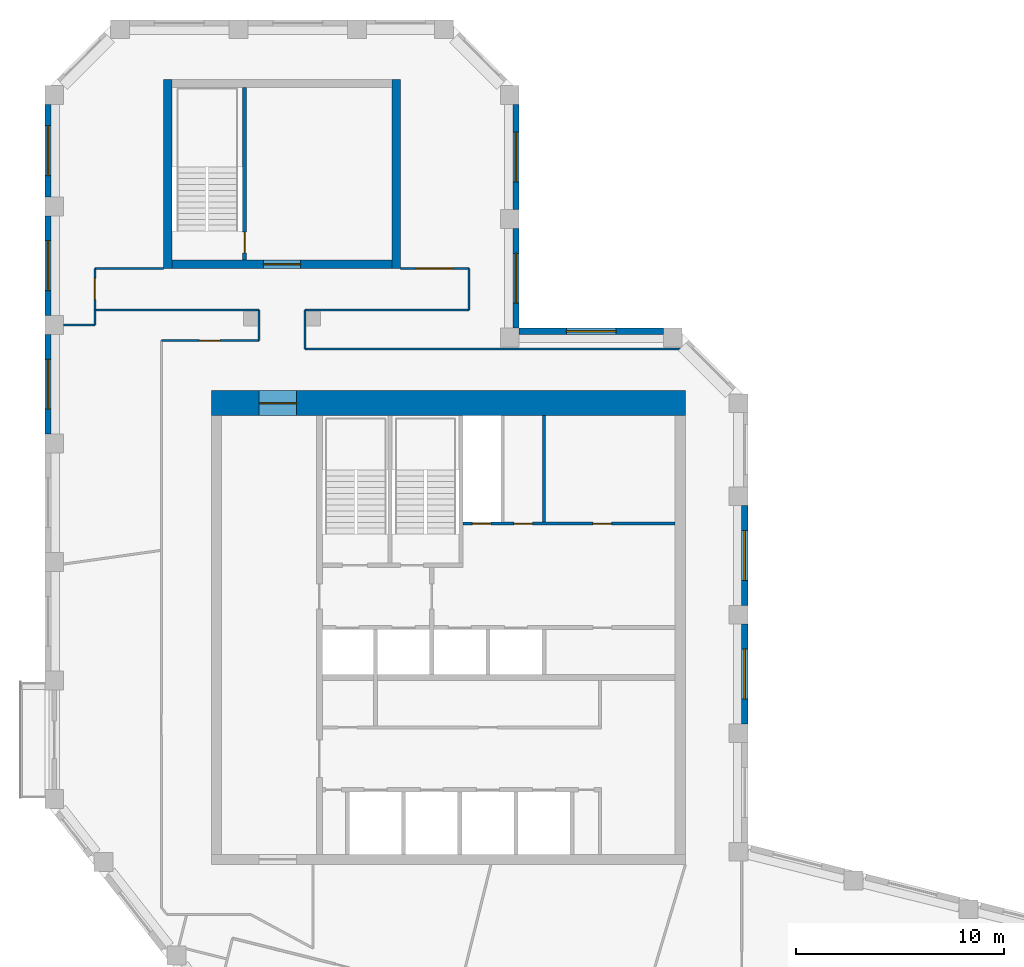
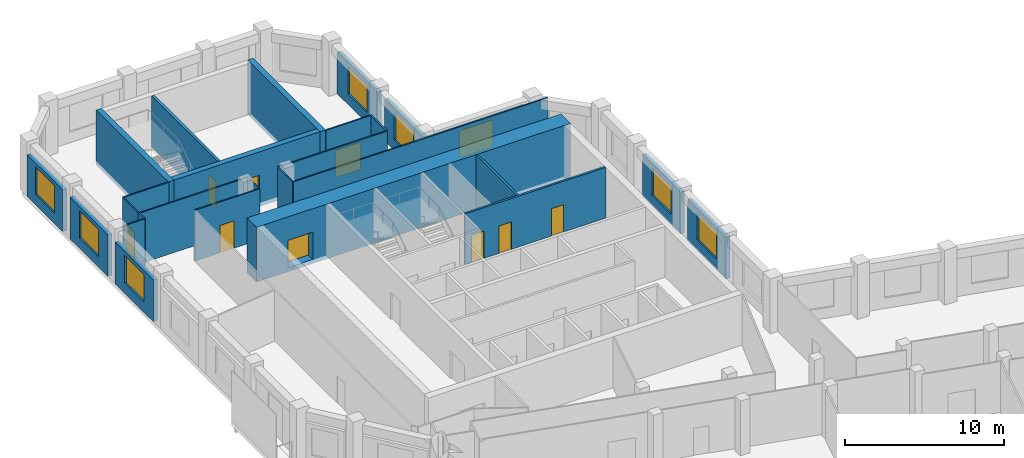
# One storey, part 6 of 8: 27 walls, 9 doors, 8 windows, 17 openings.
"""IFC4 building model written with IfcOpenShell, lengths in metres."""

from ifc_helpers import new_model, si_unit, direction, frame, frame_2d, origin, place, context, subcontext, project, spatial, rectangle, extrude, material, layer, layer_set, type_object, element, fill, save


model = new_model("IFC4")

# Units and contexts
model_context = context("Model", 3, precision=1e-05, world=origin(), true_north=direction((0.0, 1.0)))
body_context = subcontext(model_context, "Body", "Model", "MODEL_VIEW")
ifc_project = project(units=[si_unit("LENGTHUNIT", "METRE"), si_unit("AREAUNIT", "SQUARE_METRE"), si_unit("VOLUMEUNIT", "CUBIC_METRE"), si_unit("PLANEANGLEUNIT", "RADIAN"), si_unit("MASSUNIT", "GRAM", prefix="KILO")], contexts=[model_context])

# Site, building, storey
site_placement = place(None, origin())
site = spatial("IfcSite", under=ifc_project, at=site_placement, CompositionType="ELEMENT")
building_placement = place(site_placement, origin())
building = spatial("IfcBuilding", under=site, at=building_placement, Name="Meshkara Civic Tower", CompositionType="ELEMENT")
storey_placement = place(building_placement, frame((0.0, 0.0, 362.39990234375)))
storey = spatial("IfcBuildingStorey", under=building, at=storey_placement, Name="L83", CompositionType="ELEMENT", Elevation=362.39990234375)

# Wall, openings, doors
ifc_material_1 = material(Name="Blockwork", Category="masonry")
ifc_layer_1 = layer(ifc_material_1, 0.14990234375)
ifc_layer_set_1 = layer_set([ifc_layer_1], Name="Core partition 150")
wall_type_1 = type_object("IfcWallType", Name="Core partition 150", PredefinedType="PARTITIONING", material=ifc_layer_set_1)
wall_1_placement = place(storey_placement, frame((20.10009765625, 30.5, 0.0), z_axis=(0.0, 0.0, 1.0), x_axis=(1.0, 0.0, 0.0)))
wall_1 = element("IfcWall", 1, at=wall_1_placement, inside=storey, type_object=wall_type_1, Name="L83-C010", PredefinedType="PARTITIONING", context=body_context, shape_type="SweptSolid", body=[
    extrude(rectangle(XDim=10.199951171875, YDim=0.14990234375, at=frame_2d((5.10009765625, 0.0))), origin(), (0.0, 0.0, 1.0), 3.900146484375),
])
opening_1_placement = place(wall_1_placement, frame((0.449951171875, 0.0, 0.0)))
opening_1 = element("IfcOpeningElement", 2, at=opening_1_placement, cuts=wall_1, Name="Opening L83-K014", PredefinedType="OPENING", context=body_context, shape_type="SweptSolid", body=[
    extrude(rectangle(XDim=0.89990234375, YDim=2.10009765625, at=frame_2d((0.449951171875, 1.050048828125))), frame((0.0, 0.0849609375, 0.0), z_axis=(0.0, -1.0, 0.0), x_axis=(1.0, 0.0, 0.0)), (0.0, 0.0, 1.0), 0.169921875),
])
opening_2_placement = place(wall_1_placement, frame((2.449951171875, 0.0, 0.0)))
opening_2 = element("IfcOpeningElement", 3, at=opening_2_placement, cuts=wall_1, Name="Opening L83-K015", PredefinedType="OPENING", context=body_context, shape_type="SweptSolid", body=[
    extrude(rectangle(XDim=0.89990234375, YDim=2.10009765625, at=frame_2d((0.449951171875, 1.050048828125))), frame((0.0, 0.0849609375, 0.0), z_axis=(0.0, -1.0, 0.0), x_axis=(1.0, 0.0, 0.0)), (0.0, 0.0, 1.0), 0.169921875),
])
opening_3_placement = place(wall_1_placement, frame((6.25, 0.0, 0.0)))
opening_3 = element("IfcOpeningElement", 4, at=opening_3_placement, cuts=wall_1, Name="Opening L83-K016", PredefinedType="OPENING", context=body_context, shape_type="SweptSolid", body=[
    extrude(rectangle(XDim=0.89990234375, YDim=2.10009765625, at=frame_2d((0.449951171875, 1.050048828125))), frame((0.0, 0.0849609375, 0.0), z_axis=(0.0, -1.0, 0.0), x_axis=(1.0, 0.0, 0.0)), (0.0, 0.0, 1.0), 0.169921875),
])
ifc_material_2 = material(Name="Timber door leaf in steel frame", Category="steel")
door_type_1 = type_object("IfcDoorType", Name="Core room door 900", OperationType="SINGLE_SWING_LEFT", PredefinedType="DOOR", material=ifc_material_2)
door_1_placement = place(opening_3_placement, origin())
door_1 = element("IfcDoor", 5, at=door_1_placement, inside=storey, type_object=door_type_1, Name="L83-K016", OperationType="SINGLE_SWING_RIGHT", OverallHeight=2.10009765625, OverallWidth=0.89990234375, PredefinedType="DOOR", context=body_context, shape_type="SweptSolid", body=[
    extrude(rectangle(XDim=0.89990234375, YDim=2.10009765625, at=frame_2d((0.449951171875, 1.050048828125))), frame((0.0, 0.02490234375, 0.0), z_axis=(0.0, -1.0, 0.0), x_axis=(1.0, 0.0, 0.0)), (0.0, 0.0, 1.0), 0.050048828125),
])
fill(opening_3, door_1)
ifc_material_3 = material(Name="Fire-rated door leaf in steel frame", Category="steel")
door_type_2 = type_object("IfcDoorType", Name="Riser door 900", OperationType="SINGLE_SWING_LEFT", PredefinedType="DOOR", material=ifc_material_3)
door_2_placement = place(opening_1_placement, origin())
door_2 = element("IfcDoor", 6, at=door_2_placement, inside=storey, type_object=door_type_2, Name="L83-K014", OperationType="SINGLE_SWING_RIGHT", OverallHeight=2.10009765625, OverallWidth=0.89990234375, PredefinedType="DOOR", context=body_context, shape_type="SweptSolid", body=[
    extrude(rectangle(XDim=0.89990234375, YDim=2.10009765625, at=frame_2d((0.449951171875, 1.050048828125))), frame((0.0, 0.02490234375, 0.0), z_axis=(0.0, -1.0, 0.0), x_axis=(1.0, 0.0, 0.0)), (0.0, 0.0, 1.0), 0.050048828125),
])
fill(opening_1, door_2)
ifc_material_4 = material(Name="Timber door leaf in steel frame", Category="steel")
door_type_3 = type_object("IfcDoorType", Name="WC door 900", OperationType="SINGLE_SWING_LEFT", PredefinedType="DOOR", material=ifc_material_4)
door_3_placement = place(opening_2_placement, origin())
door_3 = element("IfcDoor", 7, at=door_3_placement, inside=storey, type_object=door_type_3, Name="L83-K015", OperationType="SINGLE_SWING_LEFT", OverallHeight=2.10009765625, OverallWidth=0.89990234375, PredefinedType="DOOR", context=body_context, shape_type="SweptSolid", body=[
    extrude(rectangle(XDim=0.89990234375, YDim=2.10009765625, at=frame_2d((0.449951171875, 1.050048828125))), frame((0.0, 0.02490234375, 0.0), z_axis=(0.0, -1.0, 0.0), x_axis=(1.0, 0.0, 0.0)), (0.0, 0.0, 1.0), 0.050048828125),
])
fill(opening_2, door_3)

# Wall
wall_2_placement = place(storey_placement, frame((24.0, 30.574951171875, 0.0), z_axis=(0.0, 0.0, 1.0), x_axis=(0.0, 1.0, 0.0)))
element("IfcWall", 8, at=wall_2_placement, inside=storey, type_object=wall_type_1, Name="L83-C023", PredefinedType="PARTITIONING", context=body_context, shape_type="SweptSolid", body=[
    extrude(rectangle(XDim=5.125, YDim=0.14990234375, at=frame_2d((2.5625, 0.0))), origin(), (0.0, 0.0, 1.0), 3.900146484375),
])

# Wall, opening, door
ifc_material_5 = material(Name="Concrete C50", Category="concrete")
ifc_layer_2 = layer(ifc_material_5, 1.199951171875)
ifc_layer_set_2 = layer_set([ifc_layer_2], Name="Core ring wall 1200 C50")
wall_type_2 = type_object("IfcWallType", Name="Core ring wall 1200 C50", PredefinedType="SHEAR", material=ifc_layer_set_2)
wall_3_placement = place(storey_placement, frame((8.0, 36.300048828125, -0.2998046875), z_axis=(0.0, 0.0, 1.0), x_axis=(1.0, 0.0, 0.0)))
wall_3 = element("IfcWall", 9, at=wall_3_placement, inside=storey, type_object=wall_type_2, Name="L83-C002", PredefinedType="SHEAR", context=body_context, shape_type="SweptSolid", body=[
    extrude(rectangle(XDim=22.800048828125, YDim=1.199951171875, at=frame_2d((11.39990234375, 0.0))), origin(), (0.0, 0.0, 1.0), 4.199951171875),
])
opening_4_placement = place(wall_3_placement, frame((2.300048828125, 0.0, 0.300048828125)))
opening_4 = element("IfcOpeningElement", 10, at=opening_4_placement, cuts=wall_3, Name="Opening L83-K022", PredefinedType="OPENING", context=body_context, shape_type="SweptSolid", body=[
    extrude(rectangle(XDim=1.800048828125, YDim=2.10009765625, at=frame_2d((0.89990234375, 1.050048828125))), frame((0.0, 0.60986328125, 0.0), z_axis=(0.0, -1.0, 0.0), x_axis=(1.0, 0.0, 0.0)), (0.0, 0.0, 1.0), 1.219970703125),
])
ifc_material_6 = material(Name="Fire-rated door leaf in steel frame", Category="steel")
door_type_4 = type_object("IfcDoorType", Name="Core double door 1800 EI 60", OperationType="DOUBLE_DOOR_SINGLE_SWING", PredefinedType="DOOR", material=ifc_material_6)
door_4_placement = place(opening_4_placement, origin())
door_4 = element("IfcDoor", 11, at=door_4_placement, inside=storey, type_object=door_type_4, Name="L83-K022", OperationType="DOUBLE_DOOR_SINGLE_SWING", OverallHeight=2.10009765625, OverallWidth=1.800048828125, PredefinedType="DOOR", context=body_context, shape_type="SweptSolid", body=[
    extrude(rectangle(XDim=1.800048828125, YDim=2.10009765625, at=frame_2d((0.89990234375, 1.050048828125))), frame((0.0, 0.02490234375, 0.0), z_axis=(0.0, -1.0, 0.0), x_axis=(1.0, 0.0, 0.0)), (0.0, 0.0, 1.0), 0.050048828125),
])
fill(opening_4, door_4)

# Wall
ifc_material_7 = material(Name="Corridor wall 100")
ifc_layer_3 = layer(ifc_material_7, 0.10009765625)
ifc_layer_set_3 = layer_set([ifc_layer_3], Name="Corridor wall 100")
wall_type_3 = type_object("IfcWallType", Name="Corridor wall 100", PredefinedType="PARTITIONING", material=ifc_layer_set_3)
wall_4_placement = place(storey_placement, frame((2.39990234375, 40.77001953125, 0.0), z_axis=(0.0, 0.0, 1.0), x_axis=(1.0, 0.0, 0.0)))
element("IfcWall", 12, at=wall_4_placement, inside=storey, type_object=wall_type_3, Name="L83-W001", PredefinedType="PARTITIONING", context=body_context, shape_type="SweptSolid", body=[
    extrude(rectangle(XDim=7.900146484375, YDim=0.10009765625, at=frame_2d((3.9501953125, 0.0))), origin(), (0.0, 0.0, 1.0), 3.900146484375),
])

# Wall, opening, door
wall_5_placement = place(storey_placement, frame((2.39990234375, 42.77001953125, 0.0), z_axis=(0.0, 0.0, 1.0), x_axis=(0.0, -1.0, 0.0)))
wall_5 = element("IfcWall", 13, at=wall_5_placement, inside=storey, type_object=wall_type_3, Name="L83-W002", PredefinedType="PARTITIONING", context=body_context, shape_type="SweptSolid", body=[
    extrude(rectangle(XDim=2.0, YDim=0.10009765625, at=frame_2d((1.0, 0.0))), origin(), (0.0, 0.0, 1.0), 3.900146484375),
])
opening_5_placement = place(wall_5_placement, frame((0.47998046875, 0.0, 0.0)))
opening_5 = element("IfcOpeningElement", 14, at=opening_5_placement, cuts=wall_5, Name="Opening L83-D012", PredefinedType="OPENING", context=body_context, shape_type="SweptSolid", body=[
    extrude(rectangle(XDim=1.0, YDim=2.10009765625, at=frame_2d((0.5, 1.050048828125))), frame((0.0, 0.06005859375, 0.0), z_axis=(0.0, -1.0, 0.0), x_axis=(1.0, 0.0, 0.0)), (0.0, 0.0, 1.0), 0.1201171875),
])
ifc_material_8 = material(Name="Door 1000 x 2100")
door_type_5 = type_object("IfcDoorType", Name="Door 1000 x 2100", OperationType="SINGLE_SWING_LEFT", PredefinedType="DOOR", material=ifc_material_8)
door_5_placement = place(opening_5_placement, origin())
door_5 = element("IfcDoor", 15, at=door_5_placement, inside=storey, type_object=door_type_5, Name="L83-D012", OperationType="SINGLE_SWING_RIGHT", OverallHeight=2.10009765625, OverallWidth=1.0, PredefinedType="DOOR", context=body_context, shape_type="SweptSolid", body=[
    extrude(rectangle(XDim=1.0, YDim=2.10009765625, at=frame_2d((0.5, 1.050048828125))), frame((0.0, 0.02490234375, 0.0), z_axis=(0.0, -1.0, 0.0), x_axis=(1.0, 0.0, 0.0)), (0.0, 0.0, 1.0), 0.050048828125),
])
fill(opening_5, door_5)

# Wall
wall_6_placement = place(storey_placement, frame((5.699951171875, 42.77001953125, 0.0), z_axis=(0.0, 0.0, 1.0), x_axis=(-1.0, 0.0, 0.0)))
element("IfcWall", 16, at=wall_6_placement, inside=storey, type_object=wall_type_3, Name="L83-W005", PredefinedType="PARTITIONING", context=body_context, shape_type="SweptSolid", body=[
    extrude(rectangle(XDim=3.300048828125, YDim=0.10009765625, at=frame_2d((1.64990234375, 0.0))), origin(), (0.0, 0.0, 1.0), 3.900146484375),
])

# Wall, opening, door
wall_7_placement = place(storey_placement, frame((10.300048828125, 39.300048828125, 0.0), z_axis=(0.0, 0.0, 1.0), x_axis=(-1.0, 0.0, 0.0)))
wall_7 = element("IfcWall", 17, at=wall_7_placement, inside=storey, type_object=wall_type_3, Name="L83-W011", PredefinedType="PARTITIONING", context=body_context, shape_type="SweptSolid", body=[
    extrude(rectangle(XDim=4.699951171875, YDim=0.10009765625, at=frame_2d((2.35009765625, 0.0))), origin(), (0.0, 0.0, 1.0), 3.900146484375),
])
opening_6_placement = place(wall_7_placement, frame((1.8798828125, 0.0, 0.0)))
opening_6 = element("IfcOpeningElement", 18, at=opening_6_placement, cuts=wall_7, Name="Opening L83-D013", PredefinedType="OPENING", context=body_context, shape_type="SweptSolid", body=[
    extrude(rectangle(XDim=1.0, YDim=2.10009765625, at=frame_2d((0.5, 1.050048828125))), frame((0.0, 0.06005859375, 0.0), z_axis=(0.0, -1.0, 0.0), x_axis=(1.0, 0.0, 0.0)), (0.0, 0.0, 1.0), 0.1201171875),
])
door_6_placement = place(opening_6_placement, origin())
door_6 = element("IfcDoor", 19, at=door_6_placement, inside=storey, type_object=door_type_5, Name="L83-D013", OperationType="SINGLE_SWING_LEFT", OverallHeight=2.10009765625, OverallWidth=1.0, PredefinedType="DOOR", context=body_context, shape_type="SweptSolid", body=[
    extrude(rectangle(XDim=1.0, YDim=2.10009765625, at=frame_2d((0.5, 1.050048828125))), frame((0.0, 0.02490234375, 0.0), z_axis=(0.0, -1.0, 0.0), x_axis=(1.0, 0.0, 0.0)), (0.0, 0.0, 1.0), 0.050048828125),
])
fill(opening_6, door_6)

# Walls
wall_8_placement = place(storey_placement, frame((10.300048828125, 40.77001953125, 0.0), z_axis=(0.0, 0.0, 1.0), x_axis=(0.0, -1.0, 0.0)))
element("IfcWall", 20, at=wall_8_placement, inside=storey, type_object=wall_type_3, Name="L83-W012", PredefinedType="PARTITIONING", context=body_context, shape_type="SweptSolid", body=[
    extrude(rectangle(XDim=1.469970703125, YDim=0.10009765625, at=frame_2d((0.73486328125, 0.0))), origin(), (0.0, 0.0, 1.0), 3.900146484375),
])
wall_9_placement = place(storey_placement, frame((12.5, 38.89990234375, 0.0), z_axis=(0.0, 0.0, 1.0), x_axis=(0.0, 1.0, 0.0)))
element("IfcWall", 21, at=wall_9_placement, inside=storey, type_object=wall_type_3, Name="L83-W013", PredefinedType="PARTITIONING", context=body_context, shape_type="SweptSolid", body=[
    extrude(rectangle(XDim=1.8701171875, YDim=0.10009765625, at=frame_2d((0.93505859375, 0.0))), origin(), (0.0, 0.0, 1.0), 3.900146484375),
])
wall_10_placement = place(storey_placement, frame((12.5, 40.77001953125, 0.0), z_axis=(0.0, 0.0, 1.0), x_axis=(1.0, 0.0, 0.0)))
element("IfcWall", 22, at=wall_10_placement, inside=storey, type_object=wall_type_3, Name="L83-W014", PredefinedType="PARTITIONING", context=body_context, shape_type="SweptSolid", body=[
    extrude(rectangle(XDim=7.89990234375, YDim=0.10009765625, at=frame_2d((3.949951171875, 0.0))), origin(), (0.0, 0.0, 1.0), 3.900146484375),
])
wall_11_placement = place(storey_placement, frame((20.39990234375, 40.77001953125, 0.0), z_axis=(0.0, 0.0, 1.0), x_axis=(0.0, 1.0, 0.0)))
element("IfcWall", 23, at=wall_11_placement, inside=storey, type_object=wall_type_3, Name="L83-W016", PredefinedType="PARTITIONING", context=body_context, shape_type="SweptSolid", body=[
    extrude(rectangle(XDim=2.0, YDim=0.10009765625, at=frame_2d((1.0, 0.0))), origin(), (0.0, 0.0, 1.0), 3.900146484375),
])

# Wall, opening, door
wall_12_placement = place(storey_placement, frame((20.39990234375, 42.77001953125, 0.0), z_axis=(0.0, 0.0, 1.0), x_axis=(-1.0, 0.0, 0.0)))
wall_12 = element("IfcWall", 24, at=wall_12_placement, inside=storey, type_object=wall_type_3, Name="L83-W017", PredefinedType="PARTITIONING", context=body_context, shape_type="SweptSolid", body=[
    extrude(rectangle(XDim=3.2998046875, YDim=0.10009765625, at=frame_2d((1.64990234375, 0.0))), origin(), (0.0, 0.0, 1.0), 3.900146484375),
])
opening_7_placement = place(wall_12_placement, frame((0.780029296875, 0.0, 0.0)))
opening_7 = element("IfcOpeningElement", 25, at=opening_7_placement, cuts=wall_12, Name="Opening L83-D014", PredefinedType="OPENING", context=body_context, shape_type="SweptSolid", body=[
    extrude(rectangle(XDim=1.800048828125, YDim=2.10009765625, at=frame_2d((0.89990234375, 1.050048828125))), frame((0.0, 0.06005859375, 0.0), z_axis=(0.0, -1.0, 0.0), x_axis=(1.0, 0.0, 0.0)), (0.0, 0.0, 1.0), 0.1201171875),
])
ifc_material_9 = material(Name="Door pair 1800 x 2100")
door_type_6 = type_object("IfcDoorType", Name="Door pair 1800 x 2100", OperationType="SINGLE_SWING_LEFT", PredefinedType="DOOR", material=ifc_material_9)
door_7_placement = place(opening_7_placement, origin())
door_7 = element("IfcDoor", 26, at=door_7_placement, inside=storey, type_object=door_type_6, Name="L83-D014", OperationType="DOUBLE_DOOR_SINGLE_SWING", OverallHeight=2.10009765625, OverallWidth=1.800048828125, PredefinedType="DOOR", context=body_context, shape_type="SweptSolid", body=[
    extrude(rectangle(XDim=1.800048828125, YDim=2.10009765625, at=frame_2d((0.89990234375, 1.050048828125))), frame((0.0, 0.02490234375, 0.0), z_axis=(0.0, -1.0, 0.0), x_axis=(1.0, 0.0, 0.0)), (0.0, 0.0, 1.0), 0.050048828125),
])
fill(opening_7, door_7)

# Wall
wall_13_placement = place(storey_placement, frame((30.9560546875, 38.89990234375, 0.0), z_axis=(0.0, 0.0, 1.0), x_axis=(-1.0, 0.0, 0.0)))
element("IfcWall", 27, at=wall_13_placement, inside=storey, type_object=wall_type_3, Name="L83-W019", PredefinedType="PARTITIONING", context=body_context, shape_type="SweptSolid", body=[
    extrude(rectangle(XDim=18.4560546875, YDim=0.10009765625, at=frame_2d((9.22802734375, 0.0))), origin(), (0.0, 0.0, 1.0), 3.900146484375),
])

# Wall, opening, window
ifc_material_10 = material(Name="Insulated infill panel with bronze anodised aluminium cladding", Category="aluminium")
ifc_layer_4 = layer(ifc_material_10, 0.300048828125)
ifc_layer_set_4 = layer_set([ifc_layer_4], Name="EXTERNAL INFILL WALL 300")
wall_type_4 = type_object("IfcWallType", Name="EXTERNAL INFILL WALL 300", PredefinedType="SOLIDWALL", material=ifc_layer_set_4)
wall_14_placement = place(storey_placement, frame((33.64990234375, 20.868896484375, 0.0), z_axis=(0.0, 0.0, 1.0), x_axis=(0.0, 1.0, 0.0)))
wall_14 = element("IfcWall", 28, at=wall_14_placement, inside=storey, type_object=wall_type_4, Name="External wall", PredefinedType="SOLIDWALL", context=body_context, shape_type="SweptSolid", body=[
    extrude(rectangle(XDim=4.800048828125, YDim=0.300048828125, at=frame_2d((2.39990234375, 0.0))), origin(), (0.0, 0.0, 1.0), 3.2001953125),
])
opening_8_placement = place(wall_14_placement, frame((1.199951171875, 0.0, 0.800048828125)))
opening_8 = element("IfcOpeningElement", 29, at=opening_8_placement, cuts=wall_14, Name="Opening W7", PredefinedType="OPENING", context=body_context, shape_type="SweptSolid", body=[
    extrude(rectangle(XDim=2.39990234375, YDim=2.10009765625, at=frame_2d((1.199951171875, 1.050048828125))), frame((0.0, 0.159912109375, 0.0), z_axis=(0.0, -1.0, 0.0), x_axis=(1.0, 0.0, 0.0)), (0.0, 0.0, 1.0), 0.320068359375),
])
ifc_material_11 = material(Name="Tinted double glazing", Category="glass")
window_type = type_object("IfcWindowType", Name="WINDOW 2400x2100", PartitioningType="DOUBLE_PANEL_VERTICAL", PredefinedType="WINDOW", material=ifc_material_11)
window_1_placement = place(opening_8_placement, origin())
window_1 = element("IfcWindow", 30, at=window_1_placement, inside=storey, type_object=window_type, Name="Window", OverallHeight=2.10009765625, OverallWidth=2.39990234375, PartitioningType="DOUBLE_PANEL_VERTICAL", PredefinedType="WINDOW", context=body_context, shape_type="SweptSolid", body=[
    extrude(rectangle(XDim=2.39990234375, YDim=2.10009765625, at=frame_2d((1.199951171875, 1.050048828125))), frame((0.0, 0.030029296875, 0.0), z_axis=(0.0, -1.0, 0.0), x_axis=(1.0, 0.0, 0.0)), (0.0, 0.0, 1.0), 0.06005859375),
])
fill(opening_8, window_1)

wall_15_placement = place(storey_placement, frame((33.64990234375, 26.569091796875, 0.0), z_axis=(0.0, 0.0, 1.0), x_axis=(0.0, 1.0, 0.0)))
wall_15 = element("IfcWall", 31, at=wall_15_placement, inside=storey, type_object=wall_type_4, Name="External wall", PredefinedType="SOLIDWALL", context=body_context, shape_type="SweptSolid", body=[
    extrude(rectangle(XDim=4.7998046875, YDim=0.300048828125, at=frame_2d((2.39990234375, 0.0))), origin(), (0.0, 0.0, 1.0), 3.2001953125),
])
opening_9_placement = place(wall_15_placement, frame((1.199951171875, 0.0, 0.800048828125)))
opening_9 = element("IfcOpeningElement", 32, at=opening_9_placement, cuts=wall_15, Name="Opening W7", PredefinedType="OPENING", context=body_context, shape_type="SweptSolid", body=[
    extrude(rectangle(XDim=2.39990234375, YDim=2.10009765625, at=frame_2d((1.199951171875, 1.050048828125))), frame((0.0, 0.159912109375, 0.0), z_axis=(0.0, -1.0, 0.0), x_axis=(1.0, 0.0, 0.0)), (0.0, 0.0, 1.0), 0.320068359375),
])
window_2_placement = place(opening_9_placement, origin())
window_2 = element("IfcWindow", 33, at=window_2_placement, inside=storey, type_object=window_type, Name="Window", OverallHeight=2.10009765625, OverallWidth=2.39990234375, PartitioningType="DOUBLE_PANEL_VERTICAL", PredefinedType="WINDOW", context=body_context, shape_type="SweptSolid", body=[
    extrude(rectangle(XDim=2.39990234375, YDim=2.10009765625, at=frame_2d((1.199951171875, 1.050048828125))), frame((0.0, 0.030029296875, 0.0), z_axis=(0.0, -1.0, 0.0), x_axis=(1.0, 0.0, 0.0)), (0.0, 0.0, 1.0), 0.06005859375),
])
fill(opening_9, window_2)

wall_16_placement = place(storey_placement, frame((29.743896484375, 39.75, 0.0), z_axis=(0.0, 0.0, 1.0), x_axis=(-1.0, 0.0, 0.0)))
wall_16 = element("IfcWall", 34, at=wall_16_placement, inside=storey, type_object=wall_type_4, Name="External wall", PredefinedType="SOLIDWALL", context=body_context, shape_type="SweptSolid", body=[
    extrude(rectangle(XDim=6.94384765625, YDim=0.300048828125, at=frame_2d((3.471923828125, 0.0))), origin(), (0.0, 0.0, 1.0), 3.2001953125),
])
opening_10_placement = place(wall_16_placement, frame((2.27197265625, 0.0, 0.800048828125)))
opening_10 = element("IfcOpeningElement", 35, at=opening_10_placement, cuts=wall_16, Name="Opening W7", PredefinedType="OPENING", context=body_context, shape_type="SweptSolid", body=[
    extrude(rectangle(XDim=2.39990234375, YDim=2.10009765625, at=frame_2d((1.199951171875, 1.050048828125))), frame((0.0, 0.159912109375, 0.0), z_axis=(0.0, -1.0, 0.0), x_axis=(1.0, 0.0, 0.0)), (0.0, 0.0, 1.0), 0.320068359375),
])
window_3_placement = place(opening_10_placement, origin())
window_3 = element("IfcWindow", 36, at=window_3_placement, inside=storey, type_object=window_type, Name="Window", OverallHeight=2.10009765625, OverallWidth=2.39990234375, PartitioningType="DOUBLE_PANEL_VERTICAL", PredefinedType="WINDOW", context=body_context, shape_type="SweptSolid", body=[
    extrude(rectangle(XDim=2.39990234375, YDim=2.10009765625, at=frame_2d((1.199951171875, 1.050048828125))), frame((0.0, 0.030029296875, 0.0), z_axis=(0.0, -1.0, 0.0), x_axis=(1.0, 0.0, 0.0)), (0.0, 0.0, 1.0), 0.06005859375),
])
fill(opening_10, window_3)

wall_17_placement = place(storey_placement, frame((22.64990234375, 39.89990234375, 0.0), z_axis=(0.0, 0.0, 1.0), x_axis=(0.0, 1.0, 0.0)))
wall_17 = element("IfcWall", 37, at=wall_17_placement, inside=storey, type_object=wall_type_4, Name="External wall", PredefinedType="SOLIDWALL", context=body_context, shape_type="SweptSolid", body=[
    extrude(rectangle(XDim=4.800048828125, YDim=0.300048828125, at=frame_2d((2.39990234375, 0.0))), origin(), (0.0, 0.0, 1.0), 3.2001953125),
])
opening_11_placement = place(wall_17_placement, frame((1.199951171875, 0.0, 0.800048828125)))
opening_11 = element("IfcOpeningElement", 38, at=opening_11_placement, cuts=wall_17, Name="Opening W7", PredefinedType="OPENING", context=body_context, shape_type="SweptSolid", body=[
    extrude(rectangle(XDim=2.39990234375, YDim=2.10009765625, at=frame_2d((1.199951171875, 1.050048828125))), frame((0.0, 0.159912109375, 0.0), z_axis=(0.0, -1.0, 0.0), x_axis=(1.0, 0.0, 0.0)), (0.0, 0.0, 1.0), 0.320068359375),
])
window_4_placement = place(opening_11_placement, origin())
window_4 = element("IfcWindow", 39, at=window_4_placement, inside=storey, type_object=window_type, Name="Window", OverallHeight=2.10009765625, OverallWidth=2.39990234375, PartitioningType="DOUBLE_PANEL_VERTICAL", PredefinedType="WINDOW", context=body_context, shape_type="SweptSolid", body=[
    extrude(rectangle(XDim=2.39990234375, YDim=2.10009765625, at=frame_2d((1.199951171875, 1.050048828125))), frame((0.0, 0.030029296875, 0.0), z_axis=(0.0, -1.0, 0.0), x_axis=(1.0, 0.0, 0.0)), (0.0, 0.0, 1.0), 0.06005859375),
])
fill(opening_11, window_4)

wall_18_placement = place(storey_placement, frame((22.64990234375, 45.60009765625, 0.0), z_axis=(0.0, 0.0, 1.0), x_axis=(0.0, 1.0, 0.0)))
wall_18 = element("IfcWall", 40, at=wall_18_placement, inside=storey, type_object=wall_type_4, Name="External wall", PredefinedType="SOLIDWALL", context=body_context, shape_type="SweptSolid", body=[
    extrude(rectangle(XDim=5.06396484375, YDim=0.300048828125, at=frame_2d((2.531982421875, 0.0))), origin(), (0.0, 0.0, 1.0), 3.2001953125),
])
opening_12_placement = place(wall_18_placement, frame((1.33203125, 0.0, 0.800048828125)))
opening_12 = element("IfcOpeningElement", 41, at=opening_12_placement, cuts=wall_18, Name="Opening W7", PredefinedType="OPENING", context=body_context, shape_type="SweptSolid", body=[
    extrude(rectangle(XDim=2.39990234375, YDim=2.10009765625, at=frame_2d((1.199951171875, 1.050048828125))), frame((0.0, 0.159912109375, 0.0), z_axis=(0.0, -1.0, 0.0), x_axis=(1.0, 0.0, 0.0)), (0.0, 0.0, 1.0), 0.320068359375),
])
window_5_placement = place(opening_12_placement, origin())
window_5 = element("IfcWindow", 42, at=window_5_placement, inside=storey, type_object=window_type, Name="Window", OverallHeight=2.10009765625, OverallWidth=2.39990234375, PartitioningType="DOUBLE_PANEL_VERTICAL", PredefinedType="WINDOW", context=body_context, shape_type="SweptSolid", body=[
    extrude(rectangle(XDim=2.39990234375, YDim=2.10009765625, at=frame_2d((1.199951171875, 1.050048828125))), frame((0.0, 0.030029296875, 0.0), z_axis=(0.0, -1.0, 0.0), x_axis=(1.0, 0.0, 0.0)), (0.0, 0.0, 1.0), 0.06005859375),
])
fill(opening_12, window_5)

wall_19_placement = place(storey_placement, frame((0.14990234375, 50.6640625, 0.0), z_axis=(0.0, 0.0, 1.0), x_axis=(0.0, -1.0, 0.0)))
wall_19 = element("IfcWall", 43, at=wall_19_placement, inside=storey, type_object=wall_type_4, Name="External wall", PredefinedType="SOLIDWALL", context=body_context, shape_type="SweptSolid", body=[
    extrude(rectangle(XDim=4.458984375, YDim=0.300048828125, at=frame_2d((2.2294921875, 0.0))), origin(), (0.0, 0.0, 1.0), 3.2001953125),
])
opening_13_placement = place(wall_19_placement, frame((1.029052734375, 0.0, 0.800048828125)))
opening_13 = element("IfcOpeningElement", 44, at=opening_13_placement, cuts=wall_19, Name="Opening W7", PredefinedType="OPENING", context=body_context, shape_type="SweptSolid", body=[
    extrude(rectangle(XDim=2.39990234375, YDim=2.10009765625, at=frame_2d((1.199951171875, 1.050048828125))), frame((0.0, 0.159912109375, 0.0), z_axis=(0.0, -1.0, 0.0), x_axis=(1.0, 0.0, 0.0)), (0.0, 0.0, 1.0), 0.320068359375),
])
window_6_placement = place(opening_13_placement, origin())
window_6 = element("IfcWindow", 45, at=window_6_placement, inside=storey, type_object=window_type, Name="Window", OverallHeight=2.10009765625, OverallWidth=2.39990234375, PartitioningType="DOUBLE_PANEL_VERTICAL", PredefinedType="WINDOW", context=body_context, shape_type="SweptSolid", body=[
    extrude(rectangle(XDim=2.39990234375, YDim=2.10009765625, at=frame_2d((1.199951171875, 1.050048828125))), frame((0.0, 0.030029296875, 0.0), z_axis=(0.0, -1.0, 0.0), x_axis=(1.0, 0.0, 0.0)), (0.0, 0.0, 1.0), 0.06005859375),
])
fill(opening_13, window_6)

wall_20_placement = place(storey_placement, frame((0.14990234375, 45.304931640625, 0.0), z_axis=(0.0, 0.0, 1.0), x_axis=(0.0, -1.0, 0.0)))
wall_20 = element("IfcWall", 46, at=wall_20_placement, inside=storey, type_object=wall_type_4, Name="External wall", PredefinedType="SOLIDWALL", context=body_context, shape_type="SweptSolid", body=[
    extrude(rectangle(XDim=4.800048828125, YDim=0.300048828125, at=frame_2d((2.39990234375, 0.0))), origin(), (0.0, 0.0, 1.0), 3.2001953125),
])
opening_14_placement = place(wall_20_placement, frame((1.199951171875, 0.0, 0.800048828125)))
opening_14 = element("IfcOpeningElement", 47, at=opening_14_placement, cuts=wall_20, Name="Opening W7", PredefinedType="OPENING", context=body_context, shape_type="SweptSolid", body=[
    extrude(rectangle(XDim=2.39990234375, YDim=2.10009765625, at=frame_2d((1.199951171875, 1.050048828125))), frame((0.0, 0.159912109375, 0.0), z_axis=(0.0, -1.0, 0.0), x_axis=(1.0, 0.0, 0.0)), (0.0, 0.0, 1.0), 0.320068359375),
])
window_7_placement = place(opening_14_placement, origin())
window_7 = element("IfcWindow", 48, at=window_7_placement, inside=storey, type_object=window_type, Name="Window", OverallHeight=2.10009765625, OverallWidth=2.39990234375, PartitioningType="DOUBLE_PANEL_VERTICAL", PredefinedType="WINDOW", context=body_context, shape_type="SweptSolid", body=[
    extrude(rectangle(XDim=2.39990234375, YDim=2.10009765625, at=frame_2d((1.199951171875, 1.050048828125))), frame((0.0, 0.030029296875, 0.0), z_axis=(0.0, -1.0, 0.0), x_axis=(1.0, 0.0, 0.0)), (0.0, 0.0, 1.0), 0.06005859375),
])
fill(opening_14, window_7)

wall_21_placement = place(storey_placement, frame((0.14990234375, 39.60498046875, 0.0), z_axis=(0.0, 0.0, 1.0), x_axis=(0.0, -1.0, 0.0)))
wall_21 = element("IfcWall", 49, at=wall_21_placement, inside=storey, type_object=wall_type_4, Name="External wall", PredefinedType="SOLIDWALL", context=body_context, shape_type="SweptSolid", body=[
    extrude(rectangle(XDim=4.800048828125, YDim=0.300048828125, at=frame_2d((2.39990234375, 0.0))), origin(), (0.0, 0.0, 1.0), 3.2001953125),
])
opening_15_placement = place(wall_21_placement, frame((1.199951171875, 0.0, 0.800048828125)))
opening_15 = element("IfcOpeningElement", 50, at=opening_15_placement, cuts=wall_21, Name="Opening W7", PredefinedType="OPENING", context=body_context, shape_type="SweptSolid", body=[
    extrude(rectangle(XDim=2.39990234375, YDim=2.10009765625, at=frame_2d((1.199951171875, 1.050048828125))), frame((0.0, 0.159912109375, 0.0), z_axis=(0.0, -1.0, 0.0), x_axis=(1.0, 0.0, 0.0)), (0.0, 0.0, 1.0), 0.320068359375),
])
window_8_placement = place(opening_15_placement, origin())
window_8 = element("IfcWindow", 51, at=window_8_placement, inside=storey, type_object=window_type, Name="Window", OverallHeight=2.10009765625, OverallWidth=2.39990234375, PartitioningType="DOUBLE_PANEL_VERTICAL", PredefinedType="WINDOW", context=body_context, shape_type="SweptSolid", body=[
    extrude(rectangle(XDim=2.39990234375, YDim=2.10009765625, at=frame_2d((1.199951171875, 1.050048828125))), frame((0.0, 0.030029296875, 0.0), z_axis=(0.0, -1.0, 0.0), x_axis=(1.0, 0.0, 0.0)), (0.0, 0.0, 1.0), 0.06005859375),
])
fill(opening_15, window_8)

# Walls
ifc_material_12 = material(Name="Concrete C50", Category="concrete")
ifc_layer_5 = layer(ifc_material_12, 0.39990234375)
ifc_layer_set_5 = layer_set([ifc_layer_5], Name="End core ring wall 400 C50")
wall_type_5 = type_object("IfcWallType", Name="End core ring wall 400 C50", PredefinedType="SHEAR", material=ifc_layer_set_5)
for number, where, z_axis, x_axis, name in (
    (52, (5.89990234375, 42.77001953125, -0.2998046875), (0.0, 0.0, 1.0), (0.0, 1.0, 0.0), "L83-C027"),
    (53, (16.89990234375, 42.77001953125, -0.2998046875), (0.0, 0.0, 1.0), (0.0, 1.0, 0.0), "L83-C028"),
):
    element("IfcWall", number, at=place(storey_placement, frame(where, z_axis=z_axis, x_axis=x_axis)), inside=storey, type_object=wall_type_5, Name=name, PredefinedType="SHEAR", context=body_context, shape_type="SweptSolid", body=[
        extrude(rectangle(XDim=9.10009765625, YDim=0.39990234375, at=frame_2d((4.550048828125, 0.0))), origin(), (0.0, 0.0, 1.0), 4.199951171875),
    ])

# Wall, opening, door
wall_22_placement = place(storey_placement, frame((6.10009765625, 42.969970703125, -0.2998046875), z_axis=(0.0, 0.0, 1.0), x_axis=(1.0, 0.0, 0.0)))
wall_22 = element("IfcWall", 54, at=wall_22_placement, inside=storey, type_object=wall_type_5, Name="L83-C029", PredefinedType="SHEAR", context=body_context, shape_type="SweptSolid", body=[
    extrude(rectangle(XDim=10.599853515625, YDim=0.39990234375, at=frame_2d((5.2998046875, 0.0))), origin(), (0.0, 0.0, 1.0), 4.199951171875),
])
opening_16_placement = place(wall_22_placement, frame((4.39990234375, 0.0, 0.300048828125)))
opening_16 = element("IfcOpeningElement", 55, at=opening_16_placement, cuts=wall_22, Name="Opening L83-K102", PredefinedType="OPENING", context=body_context, shape_type="SweptSolid", body=[
    extrude(rectangle(XDim=1.800048828125, YDim=2.10009765625, at=frame_2d((0.89990234375, 1.050048828125))), frame((0.0, 0.2099609375, 0.0), z_axis=(0.0, -1.0, 0.0), x_axis=(1.0, 0.0, 0.0)), (0.0, 0.0, 1.0), 0.419921875),
])
door_8_placement = place(opening_16_placement, origin())
door_8 = element("IfcDoor", 56, at=door_8_placement, inside=storey, type_object=door_type_4, Name="L83-K102", OperationType="DOUBLE_DOOR_SINGLE_SWING", OverallHeight=2.10009765625, OverallWidth=1.800048828125, PredefinedType="DOOR", context=body_context, shape_type="SweptSolid", body=[
    extrude(rectangle(XDim=1.800048828125, YDim=2.10009765625, at=frame_2d((0.89990234375, 1.050048828125))), frame((0.0, 0.02490234375, 0.0), z_axis=(0.0, -1.0, 0.0), x_axis=(1.0, 0.0, 0.0)), (0.0, 0.0, 1.0), 0.050048828125),
])
fill(opening_16, door_8)

# Walls
ifc_material_13 = material(Name="Partition 100")
ifc_layer_6 = layer(ifc_material_13, 0.10009765625)
ifc_layer_set_6 = layer_set([ifc_layer_6], Name="Partition 100")
wall_type_6 = type_object("IfcWallType", Name="Partition 100", PredefinedType="PARTITIONING", material=ifc_layer_set_6)
wall_23_placement = place(storey_placement, frame((2.39990234375, 40.054931640625, 0.0), z_axis=(0.0, 0.0, 1.0), x_axis=(-1.0, 0.0, 0.0)))
element("IfcWall", 57, at=wall_23_placement, inside=storey, type_object=wall_type_6, Name="L83-W032", PredefinedType="PARTITIONING", context=body_context, shape_type="SweptSolid", body=[
    extrude(rectangle(XDim=1.5, YDim=0.10009765625, at=frame_2d((0.75, 0.0))), origin(), (0.0, 0.0, 1.0), 3.900146484375),
])
wall_24_placement = place(storey_placement, frame((2.39990234375, 40.77392578125, 0.0), z_axis=(0.0, 0.0, 1.0), x_axis=(0.0, -1.0, 0.0)))
element("IfcWall", 58, at=wall_24_placement, inside=storey, type_object=wall_type_6, Name="L83-W033", PredefinedType="PARTITIONING", context=body_context, shape_type="SweptSolid", body=[
    extrude(rectangle(XDim=0.718994140625, YDim=0.10009765625, at=frame_2d((0.359375, 0.0))), origin(), (0.0, 0.0, 1.0), 3.900146484375),
])

# Wall, opening, door
ifc_material_14 = material(Name="Concrete C40/50", Category="concrete")
ifc_layer_7 = layer(ifc_material_14, 0.199951171875)
ifc_layer_set_7 = layer_set([ifc_layer_7], Name="Stair enclosure wall 200 C40/50")
wall_type_7 = type_object("IfcWallType", Name="Stair enclosure wall 200 C40/50", PredefinedType="SOLIDWALL", material=ifc_layer_set_7)
wall_25_placement = place(storey_placement, frame((9.60009765625, 43.169921875, 0.0), z_axis=(0.0, 0.0, 1.0), x_axis=(0.0, 1.0, 0.0)))
wall_25 = element("IfcWall", 59, at=wall_25_placement, inside=storey, type_object=wall_type_7, Name="L83-C031", PredefinedType="SOLIDWALL", context=body_context, shape_type="SweptSolid", body=[
    extrude(rectangle(XDim=8.300048828125, YDim=0.199951171875, at=frame_2d((4.14990234375, 0.0))), origin(), (0.0, 0.0, 1.0), 3.900146484375),
])
opening_17_placement = place(wall_25_placement, frame((0.35009765625, 0.0, 0.0)))
opening_17 = element("IfcOpeningElement", 60, at=opening_17_placement, cuts=wall_25, Name="Opening L83-K101", PredefinedType="OPENING", context=body_context, shape_type="SweptSolid", body=[
    extrude(rectangle(XDim=1.0, YDim=2.10009765625, at=frame_2d((0.5, 1.050048828125))), frame((0.0, 0.10986328125, 0.0), z_axis=(0.0, -1.0, 0.0), x_axis=(1.0, 0.0, 0.0)), (0.0, 0.0, 1.0), 0.219970703125),
])
ifc_material_15 = material(Name="Fire-rated door leaf in steel frame", Category="steel")
door_type_7 = type_object("IfcDoorType", Name="Stair door 1000 EI 120", OperationType="SINGLE_SWING_LEFT", PredefinedType="DOOR", material=ifc_material_15)
door_9_placement = place(opening_17_placement, origin())
door_9 = element("IfcDoor", 61, at=door_9_placement, inside=storey, type_object=door_type_7, Name="L83-K101", OperationType="SINGLE_SWING_RIGHT", OverallHeight=2.10009765625, OverallWidth=1.0, PredefinedType="DOOR", context=body_context, shape_type="SweptSolid", body=[
    extrude(rectangle(XDim=1.0, YDim=2.10009765625, at=frame_2d((0.5, 1.050048828125))), frame((0.0, 0.02490234375, 0.0), z_axis=(0.0, -1.0, 0.0), x_axis=(1.0, 0.0, 0.0)), (0.0, 0.0, 1.0), 0.050048828125),
])
fill(opening_17, door_9)

save(model, "model.ifc")
